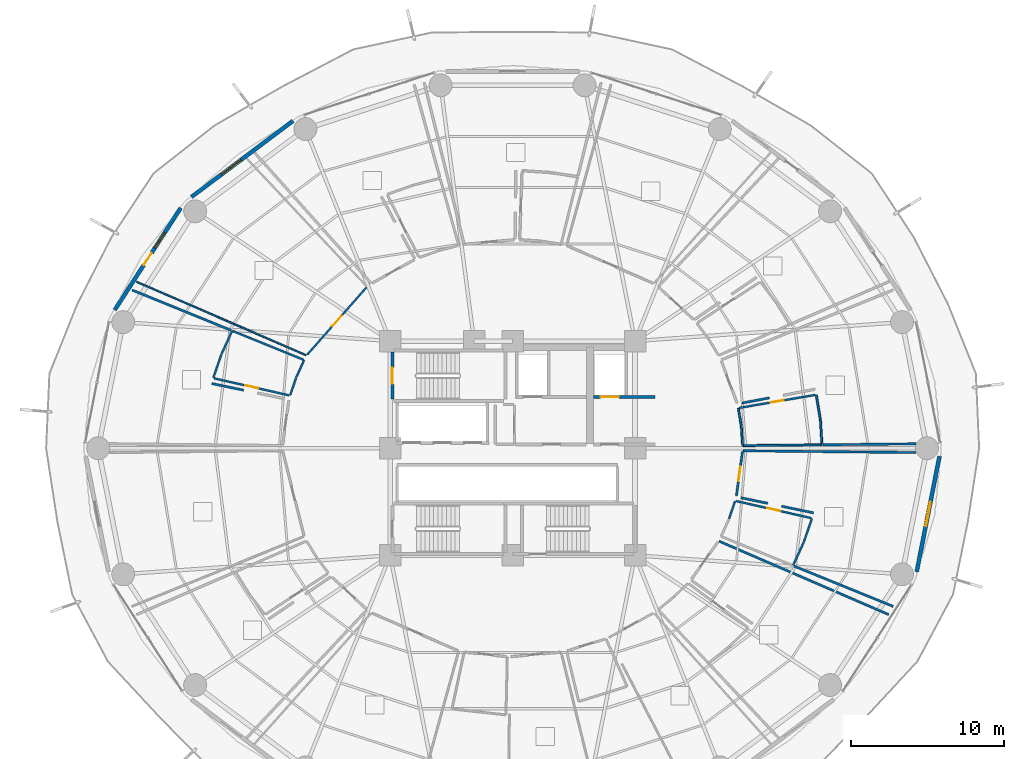
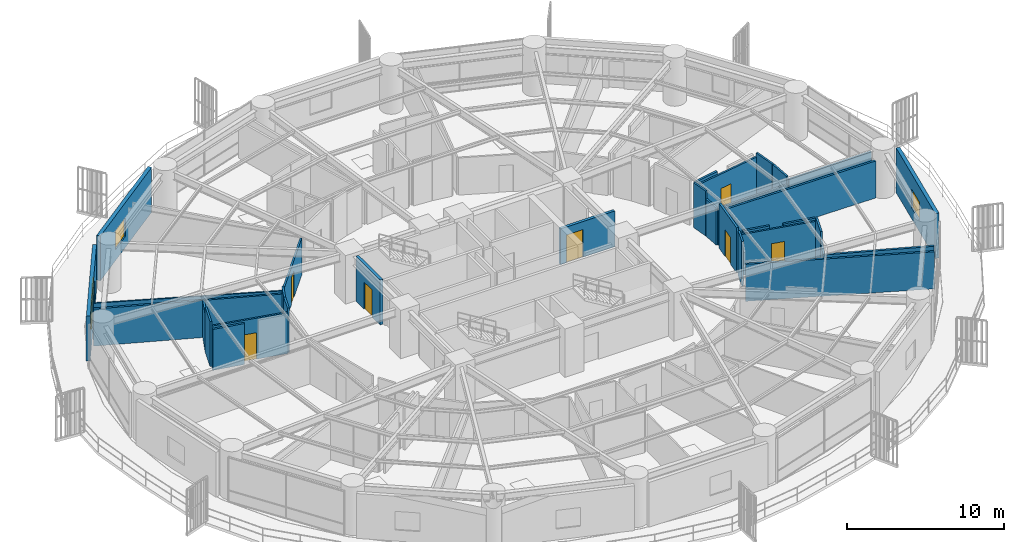
# One storey, part 26 of 34: 33 walls, 8 doors, 3 windows, 11 openings.
"""IFC4 building model written with IfcOpenShell, lengths in metres."""

from ifc_helpers import new_model, si_unit, direction, frame, frame_2d, origin, place, context, subcontext, project, spatial, rectangle, extrude, material, layer, layer_set, type_object, element, fill, save


model = new_model("IFC4")

# Units and contexts
model_context = context("Model", 3, precision=1e-05, world=origin(), true_north=direction((0.0, 1.0)))
body_context = subcontext(model_context, "Body", "Model", "MODEL_VIEW")
ifc_project = project(units=[si_unit("LENGTHUNIT", "METRE"), si_unit("AREAUNIT", "SQUARE_METRE"), si_unit("VOLUMEUNIT", "CUBIC_METRE"), si_unit("PLANEANGLEUNIT", "RADIAN"), si_unit("MASSUNIT", "GRAM", prefix="KILO")], contexts=[model_context])

# Site, building, storey
site_placement = place(None, origin())
site = spatial("IfcSite", under=ifc_project, at=site_placement, CompositionType="ELEMENT")
building_placement = place(site_placement, origin())
building = spatial("IfcBuilding", under=site, at=building_placement, Name="Kelanora Arch Commons", CompositionType="ELEMENT")
storey_placement = place(building_placement, frame((0.0, 0.0, 30.0)))
storey = spatial("IfcBuildingStorey", under=building, at=storey_placement, Name="L07", CompositionType="ELEMENT", Elevation=30.0)

# Wall, opening, door
ifc_material_1 = material(Name="Autoclaved aerated concrete blockwork with fire plaster", Category="masonry")
ifc_layer_1 = layer(ifc_material_1, 0.14990234375)
ifc_layer_set_1 = layer_set([ifc_layer_1], Name="Autoclaved aerated concrete blockwork with fire plaster")
wall_type_1 = type_object("IfcWallType", Name="W-COMP-150", PredefinedType="PARTITIONING", material=ifc_layer_set_1)
wall_1_placement = place(storey_placement, frame((88.625, 54.885498046875, 0.0), z_axis=(0.0, 0.0, 1.0), x_axis=(0.135838186105, 0.990731036758, 0.0)))
wall_1 = element("IfcWall", 1, at=wall_1_placement, inside=storey, type_object=wall_type_1, Name="Co-Living Studio L07-14 Entry Partition", PredefinedType="PARTITIONING", context=body_context, shape_type="SweptSolid", body=[
    extrude(rectangle(XDim=2.915283203125, YDim=0.14990234375, at=frame_2d((1.45751953125, 0.0))), origin(), (0.0, 0.0, 1.0), 3.47998046875),
])
opening_1_placement = place(wall_1_placement, frame((0.98291015625, 0.0, 0.0)))
opening_1 = element("IfcOpeningElement", 2, at=opening_1_placement, cuts=wall_1, Name="Opening D-CLU1", PredefinedType="OPENING", context=body_context, shape_type="SweptSolid", body=[
    extrude(rectangle(XDim=0.949951171875, YDim=2.080078125, at=frame_2d((0.47509765625, 1.0400390625))), frame((0.0, 0.0849609375, 0.0), z_axis=(0.0, -1.0, 0.0), x_axis=(1.0, 0.0, 0.0)), (0.0, 0.0, 1.0), 0.169921875),
])
ifc_material_2 = material(Name="Solid-core acoustic timber cluster entry fire door", Category="wood")
door_type_1 = type_object("IfcDoorType", Name="D-CLU-95", OperationType="NOTDEFINED", PredefinedType="DOOR", material=ifc_material_2)
door_1_placement = place(opening_1_placement, origin())
door_1 = element("IfcDoor", 3, at=door_1_placement, inside=storey, type_object=door_type_1, Name="Co-Living Studio L07-14 Door", OperationType="SINGLE_SWING_LEFT", OverallHeight=2.080078125, OverallWidth=0.949951171875, PredefinedType="DOOR", context=body_context, shape_type="SweptSolid", body=[
    extrude(rectangle(XDim=0.949951171875, YDim=2.080078125, at=frame_2d((0.47509765625, 1.0400390625))), frame((0.0, 0.02490234375, 0.0), z_axis=(0.0, -1.0, 0.0), x_axis=(1.0, 0.0, 0.0)), (0.0, 0.0, 1.0), 0.050048828125),
])
fill(opening_1, door_1)

# Walls
wall_2_placement = place(storey_placement, frame((100.360107421875, 58.287109375, 0.0), z_axis=(0.0, 0.0, 1.0), x_axis=(-0.999943071294, -0.010670246996, 0.0)))
element("IfcWall", 4, at=wall_2_placement, inside=storey, type_object=wall_type_1, Name="Co-Living Studio L07-01 Enclosure Partition 5", PredefinedType="PARTITIONING", context=body_context, shape_type="SweptSolid", body=[
    extrude(rectangle(XDim=6.063232421875, YDim=0.14990234375, at=frame_2d((3.03173828125, 0.0))), origin(), (0.0, 0.0, 1.0), 3.235107421875),
])
wall_3_placement = place(storey_placement, frame((90.7890625, 61.289306640625, 0.0), z_axis=(0.0, 0.0, 1.0), x_axis=(-0.98259072308, -0.185783397852, 0.0)))
element("IfcWall", 5, at=wall_3_placement, inside=storey, type_object=wall_type_1, Name="Co-Living Studio L07-01 Enclosure Partition 7", PredefinedType="PARTITIONING", context=body_context, shape_type="SweptSolid", body=[
    extrude(rectangle(XDim=1.823974609375, YDim=0.14990234375, at=frame_2d((0.912109375, 0.0))), origin(), (0.0, 0.0, 1.0), 3.235107421875),
])
wall_4_placement = place(storey_placement, frame((49.135009765625, 68.3359375, 0.0), z_axis=(0.0, 0.0, 1.0), x_axis=(0.926325178802, -0.376724917038, 0.0)))
element("IfcWall", 6, at=wall_4_placement, inside=storey, type_object=wall_type_1, Name="Co-Living Studio L07-07 Enclosure Partition 5", PredefinedType="PARTITIONING", context=body_context, shape_type="SweptSolid", body=[
    extrude(rectangle(XDim=6.9833984375, YDim=0.14990234375, at=frame_2d((3.49169921875, 0.0))), origin(), (0.0, 0.0, 1.0), 2.875),
])
wall_5_placement = place(storey_placement, frame((54.337158203125, 62.226806640625, 0.0), z_axis=(0.0, 0.0, 1.0), x_axis=(0.978922282622, -0.204233113343, 0.0)))
element("IfcWall", 7, at=wall_5_placement, inside=storey, type_object=wall_type_1, Name="Co-Living Studio L07-07 Enclosure Partition 7", PredefinedType="PARTITIONING", context=body_context, shape_type="SweptSolid", body=[
    extrude(rectangle(XDim=2.132568359375, YDim=0.14990234375, at=frame_2d((1.06640625, 0.0))), origin(), (0.0, 0.0, 1.0), 3.175048828125),
])
wall_6_placement = place(storey_placement, frame((87.497802734375, 51.921142578125, 0.0), z_axis=(0.0, 0.0, 1.0), x_axis=(0.917695041134, -0.397285554077, 0.0)))
element("IfcWall", 8, at=wall_6_placement, inside=storey, type_object=wall_type_1, Name="Co-Living Studio L07-13 Enclosure Partition 2", PredefinedType="PARTITIONING", context=body_context, shape_type="SweptSolid", body=[
    extrude(rectangle(XDim=12.06982421875, YDim=0.14990234375, at=frame_2d((6.034912109375, 0.0))), origin(), (0.0, 0.0, 1.0), 2.875),
])
wall_7_placement = place(storey_placement, frame((89.069091796875, 57.83251953125, 0.0), z_axis=(0.0, 0.0, 1.0), x_axis=(0.999943877154, -0.010594458135, 0.0)))
element("IfcWall", 9, at=wall_7_placement, inside=storey, type_object=wall_type_1, Name="Co-Living Studio L07-14 Enclosure Partition 2", PredefinedType="PARTITIONING", context=body_context, shape_type="SweptSolid", body=[
    extrude(rectangle(XDim=11.291748046875, YDim=0.14990234375, at=frame_2d((5.64599609375, 0.0))), origin(), (0.0, 0.0, 1.0), 2.875),
])
wall_8_placement = place(storey_placement, frame((98.864990234375, 47.6640625, 0.0), z_axis=(0.0, 0.0, 1.0), x_axis=(-0.926325178802, 0.376724917038, 0.0)))
element("IfcWall", 10, at=wall_8_placement, inside=storey, type_object=wall_type_1, Name="Co-Living Studio L07-14 Enclosure Partition 5", PredefinedType="PARTITIONING", context=body_context, shape_type="SweptSolid", body=[
    extrude(rectangle(XDim=6.9833984375, YDim=0.14990234375, at=frame_2d((3.49169921875, 0.0))), origin(), (0.0, 0.0, 1.0), 2.875),
])
wall_9_placement = place(storey_placement, frame((93.662841796875, 53.773193359375, 0.0), z_axis=(0.0, 0.0, 1.0), x_axis=(-0.978922282622, 0.204233113343, 0.0)))
element("IfcWall", 11, at=wall_9_placement, inside=storey, type_object=wall_type_1, Name="Co-Living Studio L07-14 Enclosure Partition 7", PredefinedType="PARTITIONING", context=body_context, shape_type="SweptSolid", body=[
    extrude(rectangle(XDim=2.132568359375, YDim=0.14990234375, at=frame_2d((1.06640625, 0.0))), origin(), (0.0, 0.0, 1.0), 3.175048828125),
])
wall_10_placement = place(storey_placement, frame((90.674560546875, 54.396728515625, 0.0), z_axis=(0.0, 0.0, 1.0), x_axis=(-0.978929424395, 0.204198878681, 0.0)))
element("IfcWall", 12, at=wall_10_placement, inside=storey, type_object=wall_type_1, Name="Co-Living Studio L07-14 Enclosure Partition 7", PredefinedType="PARTITIONING", context=body_context, shape_type="SweptSolid", body=[
    extrude(rectangle(XDim=1.79345703125, YDim=0.14990234375, at=frame_2d((0.896728515625, 0.0))), origin(), (0.0, 0.0, 1.0), 3.235107421875),
])

# Wall, opening, window
ifc_material_3 = material(Name="Precast concrete C40/50 with terracotta rainscreen", Category="masonry")
ifc_layer_2 = layer(ifc_material_3, 0.260009765625)
ifc_layer_set_2 = layer_set([ifc_layer_2], Name="Precast concrete C40/50 with terracotta rainscreen")
wall_type_2 = type_object("IfcWallType", Name="W-EXT-TC", PredefinedType="SOLIDWALL", material=ifc_layer_set_2)
wall_11_placement = place(storey_placement, frame((59.651123046875, 79.38916015625, 0.0), z_axis=(0.0, 0.0, 1.0), x_axis=(-0.80030733173, -0.599590005569, 0.0)))
wall_11 = element("IfcWall", 13, at=wall_11_placement, inside=storey, type_object=wall_type_2, Name="Terracotta Exterior Wall L07-B06", PredefinedType="SOLIDWALL", context=body_context, shape_type="SweptSolid", body=[
    extrude(rectangle(XDim=8.29052734375, YDim=0.260009765625, at=frame_2d((4.145263671875, 0.0))), origin(), (0.0, 0.0, 1.0), 3.47509765625),
])
opening_2_placement = place(wall_11_placement, frame((4.2451171875, 0.0, 0.85009765625)))
opening_2 = element("IfcOpeningElement", 14, at=opening_2_placement, cuts=wall_11, Name="Opening WN-01", PredefinedType="OPENING", context=body_context, shape_type="SweptSolid", body=[
    extrude(rectangle(XDim=1.60009765625, YDim=1.449951171875, at=frame_2d((0.800048828125, 0.72509765625))), frame((0.0, 0.14013671875, 0.0), z_axis=(0.0, -1.0, 0.0), x_axis=(1.0, 0.0, 0.0)), (0.0, 0.0, 1.0), 0.280029296875),
])
ifc_material_4 = material(Name="Terracotta-anodised aluminium frame with operable low-E glazing", Category="masonry")
window_type_1 = type_object("IfcWindowType", Name="WIN-CL-18", PartitioningType="DOUBLE_PANEL_VERTICAL", PredefinedType="WINDOW", material=ifc_material_4)
window_1_placement = place(opening_2_placement, origin())
window_1 = element("IfcWindow", 15, at=window_1_placement, inside=storey, type_object=window_type_1, Name="Co-Living Operable Window L07-B06", OverallHeight=1.449951171875, OverallWidth=1.60009765625, PartitioningType="SINGLE_PANEL", PredefinedType="WINDOW", context=body_context, shape_type="SweptSolid", body=[
    extrude(rectangle(XDim=1.60009765625, YDim=1.449951171875, at=frame_2d((0.800048828125, 0.72509765625))), frame((0.0, 0.030029296875, 0.0), z_axis=(0.0, -1.0, 0.0), x_axis=(1.0, 0.0, 0.0)), (0.0, 0.0, 1.0), 0.06005859375),
])
fill(opening_2, window_1)

# Wall, openings, door, window
wall_12_placement = place(storey_placement, frame((52.310791015625, 73.698486328125, 0.0), z_axis=(0.0, 0.0, 1.0), x_axis=(-0.543005114258, -0.839729388488, 0.0)))
wall_12 = element("IfcWall", 16, at=wall_12_placement, inside=storey, type_object=wall_type_2, Name="Terracotta Exterior Wall L07-B07", PredefinedType="SOLIDWALL", context=body_context, shape_type="SweptSolid", body=[
    extrude(rectangle(XDim=7.9375, YDim=0.260009765625, at=frame_2d((3.96875, 0.0))), origin(), (0.0, 0.0, 1.0), 3.47509765625),
])
opening_3_placement = place(wall_12_placement, frame((3.493896484375, 0.0, 0.0)))
opening_3 = element("IfcOpeningElement", 17, at=opening_3_placement, cuts=wall_12, Name="Opening DB-01", PredefinedType="OPENING", context=body_context, shape_type="SweptSolid", body=[
    extrude(rectangle(XDim=0.949951171875, YDim=2.10009765625, at=frame_2d((0.47509765625, 1.050048828125))), frame((0.0, 0.14013671875, 0.0), z_axis=(0.0, -1.0, 0.0), x_axis=(1.0, 0.0, 0.0)), (0.0, 0.0, 1.0), 0.280029296875),
])
opening_4_placement = place(wall_12_placement, frame((1.9140625, 0.0, 0.85009765625)))
opening_4 = element("IfcOpeningElement", 18, at=opening_4_placement, cuts=wall_12, Name="Opening WN-02", PredefinedType="OPENING", context=body_context, shape_type="SweptSolid", body=[
    extrude(rectangle(XDim=1.199951171875, YDim=1.449951171875, at=frame_2d((0.60009765625, 0.72509765625))), frame((0.0, 0.14013671875, 0.0), z_axis=(0.0, -1.0, 0.0), x_axis=(1.0, 0.0, 0.0)), (0.0, 0.0, 1.0), 0.280029296875),
])
ifc_material_5 = material(Name="Terracotta-aluminium thermally broken glazed balcony door", Category="masonry")
door_type_2 = type_object("IfcDoorType", Name="D-BAL-10", OperationType="NOTDEFINED", PredefinedType="DOOR", material=ifc_material_5)
door_2_placement = place(opening_3_placement, frame((0.949951171875, 0.0, 0.0), z_axis=(0.0, 0.0, 1.0), x_axis=(-1.0, 0.0, 0.0)))
door_2 = element("IfcDoor", 19, at=door_2_placement, inside=storey, type_object=door_type_2, Name="Wave Balcony Door L07-B07", OperationType="SINGLE_SWING_LEFT", OverallHeight=2.10009765625, OverallWidth=0.949951171875, PredefinedType="DOOR", context=body_context, shape_type="SweptSolid", body=[
    extrude(rectangle(XDim=0.949951171875, YDim=2.10009765625, at=frame_2d((0.47509765625, 1.050048828125))), frame((0.0, 0.02490234375, 0.0), z_axis=(0.0, -1.0, 0.0), x_axis=(1.0, 0.0, 0.0)), (0.0, 0.0, 1.0), 0.050048828125),
])
fill(opening_3, door_2)
ifc_material_6 = material(Name="Terracotta-anodised aluminium frame with operable awning sash", Category="masonry")
window_type_2 = type_object("IfcWindowType", Name="WIN-CL-12", PartitioningType="SINGLE_PANEL", PredefinedType="WINDOW", material=ifc_material_6)
window_2_placement = place(opening_4_placement, origin())
window_2 = element("IfcWindow", 20, at=window_2_placement, inside=storey, type_object=window_type_2, Name="Co-Living Operable Window L07-B07", OverallHeight=1.449951171875, OverallWidth=1.199951171875, PartitioningType="SINGLE_PANEL", PredefinedType="WINDOW", context=body_context, shape_type="SweptSolid", body=[
    extrude(rectangle(XDim=1.199951171875, YDim=1.449951171875, at=frame_2d((0.60009765625, 0.72509765625))), frame((0.0, 0.030029296875, 0.0), z_axis=(0.0, -1.0, 0.0), x_axis=(1.0, 0.0, 0.0)), (0.0, 0.0, 1.0), 0.06005859375),
])
fill(opening_4, window_2)

# Wall, opening, window
wall_13_placement = place(storey_placement, frame((100.404296875, 49.919921875, 0.0), z_axis=(0.0, 0.0, 1.0), x_axis=(0.193726159581, 0.98105564322, 0.0)))
wall_13 = element("IfcWall", 21, at=wall_13_placement, inside=storey, type_object=wall_type_2, Name="Terracotta Exterior Wall L07-B17", PredefinedType="SOLIDWALL", context=body_context, shape_type="SweptSolid", body=[
    extrude(rectangle(XDim=7.70263671875, YDim=0.260009765625, at=frame_2d((3.851318359375, 0.0))), origin(), (0.0, 0.0, 1.0), 3.47509765625),
])
opening_5_placement = place(wall_13_placement, frame((3.051025390625, 0.0, 0.85009765625)))
opening_5 = element("IfcOpeningElement", 22, at=opening_5_placement, cuts=wall_13, Name="Opening WN-01", PredefinedType="OPENING", context=body_context, shape_type="SweptSolid", body=[
    extrude(rectangle(XDim=1.60009765625, YDim=1.449951171875, at=frame_2d((0.800048828125, 0.72509765625))), frame((0.0, 0.14013671875, 0.0), z_axis=(0.0, -1.0, 0.0), x_axis=(1.0, 0.0, 0.0)), (0.0, 0.0, 1.0), 0.280029296875),
])
window_3_placement = place(opening_5_placement, origin())
window_3 = element("IfcWindow", 23, at=window_3_placement, inside=storey, type_object=window_type_1, Name="Co-Living Operable Window L07-B17", OverallHeight=1.449951171875, OverallWidth=1.60009765625, PartitioningType="SINGLE_PANEL", PredefinedType="WINDOW", context=body_context, shape_type="SweptSolid", body=[
    extrude(rectangle(XDim=1.60009765625, YDim=1.449951171875, at=frame_2d((0.800048828125, 0.72509765625))), frame((0.0, 0.030029296875, 0.0), z_axis=(0.0, -1.0, 0.0), x_axis=(1.0, 0.0, 0.0)), (0.0, 0.0, 1.0), 0.06005859375),
])
fill(opening_5, window_3)

# Wall, opening, door
ifc_material_7 = material(Name="Concrete C40/50", Category="concrete")
ifc_layer_3 = layer(ifc_material_7, 0.199951171875)
ifc_layer_set_3 = layer_set([ifc_layer_3], Name="Concrete C40/50")
wall_type_3 = type_object("IfcWallType", Name="W-FFL-200", PredefinedType="SOLIDWALL", material=ifc_layer_set_3)
wall_14_placement = place(storey_placement, frame((79.300048828125, 61.35009765625, 0.0), z_axis=(0.0, 0.0, 1.0), x_axis=(1.0, 0.0, 0.0)))
wall_14 = element("IfcWall", 24, at=wall_14_placement, inside=storey, type_object=wall_type_3, Name="Firefighting Lift 2 Shaft Front L07", PredefinedType="SOLIDWALL", context=body_context, shape_type="SweptSolid", body=[
    extrude(rectangle(XDim=4.0, YDim=0.199951171875, at=frame_2d((2.0, 0.0))), origin(), (0.0, 0.0, 1.0), 2.77490234375),
])
opening_6_placement = place(wall_14_placement, frame((0.449951171875, 0.0, 0.0)))
opening_6 = element("IfcOpeningElement", 25, at=opening_6_placement, cuts=wall_14, Name="Opening LD-FF", PredefinedType="OPENING", context=body_context, shape_type="SweptSolid", body=[
    extrude(rectangle(XDim=1.199951171875, YDim=2.14990234375, at=frame_2d((0.60009765625, 1.074951171875))), frame((0.0, 0.10986328125, 0.0), z_axis=(0.0, -1.0, 0.0), x_axis=(1.0, 0.0, 0.0)), (0.0, 0.0, 1.0), 0.219970703125),
])
ifc_material_8 = material(Name="Fire-rated firefighters lift sliding landing door")
door_type_3 = type_object("IfcDoorType", Name="D-LIFT-FF", OperationType="NOTDEFINED", PredefinedType="DOOR", material=ifc_material_8)
door_3_placement = place(opening_6_placement, origin())
door_3 = element("IfcDoor", 26, at=door_3_placement, inside=storey, type_object=door_type_3, Name="Firefighting Lift LF-FF2 Landing Door L07", OperationType="DOUBLE_DOOR_SLIDING", OverallHeight=2.14990234375, OverallWidth=1.199951171875, PredefinedType="DOOR", context=body_context, shape_type="SweptSolid", body=[
    extrude(rectangle(XDim=1.199951171875, YDim=2.14990234375, at=frame_2d((0.60009765625, 1.074951171875))), frame((0.0, 0.02490234375, 0.0), z_axis=(0.0, -1.0, 0.0), x_axis=(1.0, 0.0, 0.0)), (0.0, 0.0, 1.0), 0.050048828125),
])
fill(opening_6, door_3)

# Wall
ifc_material_9 = material(Name="Lightweight fire-rated acoustic stud partition")
ifc_layer_4 = layer(ifc_material_9, 0.10009765625)
ifc_layer_set_4 = layer_set([ifc_layer_4], Name="Lightweight fire-rated acoustic stud partition")
wall_type_4 = type_object("IfcWallType", Name="W-PART-100", PredefinedType="PARTITIONING", material=ifc_layer_set_4)
wall_15_placement = place(storey_placement, frame((60.502197265625, 64.078857421875, 0.0), z_axis=(0.0, 0.0, 1.0), x_axis=(-0.917695041134, 0.397285554077, 0.0)))
element("IfcWall", 27, at=wall_15_placement, inside=storey, type_object=wall_type_4, Name="Quiet Seminar Study Room L07-06 Enclosure Partition 2", PredefinedType="PARTITIONING", context=body_context, shape_type="SweptSolid", body=[
    extrude(rectangle(XDim=12.06982421875, YDim=0.10009765625, at=frame_2d((6.034912109375, 0.0))), origin(), (0.0, 0.0, 1.0), 2.875),
])

# Wall, opening, door
ifc_material_10 = material(Name="Acoustic twin-stud fire-rated gypsum partition")
ifc_layer_5 = layer(ifc_material_10, 0.1201171875)
ifc_layer_set_5 = layer_set([ifc_layer_5], Name="Acoustic twin-stud fire-rated gypsum partition")
wall_type_5 = type_object("IfcWallType", Name="W-PART-120", PredefinedType="PARTITIONING", material=ifc_layer_set_5)
wall_16_placement = place(storey_placement, frame((64.4462890625, 68.5068359375, 0.0), z_axis=(0.0, 0.0, 1.0), x_axis=(-0.660323401664, -0.75098136143, 0.0)))
wall_16 = element("IfcWall", 28, at=wall_16_placement, inside=storey, type_object=wall_type_5, Name="Quiet Seminar Study Room L07-06 Entry Partition", PredefinedType="PARTITIONING", context=body_context, shape_type="SweptSolid", body=[
    extrude(rectangle(XDim=5.857177734375, YDim=0.1201171875, at=frame_2d((2.9287109375, 0.0))), origin(), (0.0, 0.0, 1.0), 2.875),
])
opening_7_placement = place(wall_16_placement, frame((2.47900390625, 0.0, 0.0)))
opening_7 = element("IfcOpeningElement", 29, at=opening_7_placement, cuts=wall_16, Name="Opening D-RM1", PredefinedType="OPENING", context=body_context, shape_type="SweptSolid", body=[
    extrude(rectangle(XDim=0.89990234375, YDim=2.080078125, at=frame_2d((0.449951171875, 1.0400390625))), frame((0.0, 0.070068359375, 0.0), z_axis=(0.0, -1.0, 0.0), x_axis=(1.0, 0.0, 0.0)), (0.0, 0.0, 1.0), 0.14013671875),
])
ifc_material_11 = material(Name="Acoustic fire-rated timber study and lounge door", Category="wood")
door_type_4 = type_object("IfcDoorType", Name="D-ROOM-90", OperationType="NOTDEFINED", PredefinedType="DOOR", material=ifc_material_11)
door_4_placement = place(opening_7_placement, origin())
door_4 = element("IfcDoor", 30, at=door_4_placement, inside=storey, type_object=door_type_4, Name="Quiet Seminar Study Room L07-06 Door", OperationType="SINGLE_SWING_LEFT", OverallHeight=2.080078125, OverallWidth=0.89990234375, PredefinedType="DOOR", context=body_context, shape_type="SweptSolid", body=[
    extrude(rectangle(XDim=0.89990234375, YDim=2.080078125, at=frame_2d((0.449951171875, 1.0400390625))), frame((0.0, 0.02490234375, 0.0), z_axis=(0.0, -1.0, 0.0), x_axis=(1.0, 0.0, 0.0)), (0.0, 0.0, 1.0), 0.050048828125),
])
fill(opening_7, door_4)

ifc_layer_6 = layer(ifc_material_7, 0.199951171875)
ifc_layer_set_6 = layer_set([ifc_layer_6], Name="Concrete C40/50")
wall_type_6 = type_object("IfcWallType", Name="W-STAIR-200", PredefinedType="SHEAR", material=ifc_layer_set_6)
wall_17_placement = place(storey_placement, frame((66.139892578125, 64.27001953125, 0.0), z_axis=(0.0, 0.0, 1.0), x_axis=(0.0, -1.0, 0.0)))
wall_17 = element("IfcWall", 31, at=wall_17_placement, inside=storey, type_object=wall_type_6, Name="Stair ST-T1 Shaft Wall W L07", PredefinedType="SHEAR", context=body_context, shape_type="SweptSolid", body=[
    extrude(rectangle(XDim=3.070068359375, YDim=0.199951171875, at=frame_2d((1.53515625, 0.0))), origin(), (0.0, 0.0, 1.0), 3.489990234375),
])
opening_8_placement = place(wall_17_placement, frame((1.010009765625, 0.0, 0.0)))
opening_8 = element("IfcOpeningElement", 32, at=opening_8_placement, cuts=wall_17, Name="Opening D-ST1", PredefinedType="OPENING", context=body_context, shape_type="SweptSolid", body=[
    extrude(rectangle(XDim=1.050048828125, YDim=2.10009765625, at=frame_2d((0.52490234375, 1.050048828125))), frame((0.0, 0.10986328125, 0.0), z_axis=(0.0, -1.0, 0.0), x_axis=(1.0, 0.0, 0.0)), (0.0, 0.0, 1.0), 0.219970703125),
])
ifc_material_12 = material(Name="Steel fire-rated stairwell escape door", Category="steel")
door_type_5 = type_object("IfcDoorType", Name="D-STAIR-110", OperationType="NOTDEFINED", PredefinedType="DOOR", material=ifc_material_12)
door_5_placement = place(opening_8_placement, origin())
door_5 = element("IfcDoor", 33, at=door_5_placement, inside=storey, type_object=door_type_5, Name="Stair ST-T1 Escape Door L07", OperationType="SINGLE_SWING_LEFT", OverallHeight=2.10009765625, OverallWidth=1.050048828125, PredefinedType="DOOR", context=body_context, shape_type="SweptSolid", body=[
    extrude(rectangle(XDim=1.050048828125, YDim=2.10009765625, at=frame_2d((0.52490234375, 1.050048828125))), frame((0.0, 0.02490234375, 0.0), z_axis=(0.0, -1.0, 0.0), x_axis=(1.0, 0.0, 0.0)), (0.0, 0.0, 1.0), 0.050048828125),
])
fill(opening_8, door_5)

ifc_material_13 = material(Name="Moisture-resistant fire-rated cement-board plumbing wall")
ifc_layer_7 = layer(ifc_material_13, 0.1298828125)
ifc_layer_set_7 = layer_set([ifc_layer_7], Name="Moisture-resistant fire-rated cement-board plumbing wall")
wall_type_7 = type_object("IfcWallType", Name="W-WET-120", PredefinedType="PLUMBINGWALL", material=ifc_layer_set_7)
wall_18_placement = place(storey_placement, frame((88.80810546875, 60.634033203125, 0.0), z_axis=(0.0, 0.0, 1.0), x_axis=(0.985746995542, 0.168234540986, 0.0)))
wall_18 = element("IfcWall", 34, at=wall_18_placement, inside=storey, type_object=wall_type_7, Name="En-Suite Shower WC L07-01 Entry Partition", PredefinedType="PLUMBINGWALL", context=body_context, shape_type="SweptSolid", body=[
    extrude(rectangle(XDim=5.0458984375, YDim=0.1298828125, at=frame_2d((2.52294921875, 0.0))), origin(), (0.0, 0.0, 1.0), 3.175048828125),
])
opening_9_placement = place(wall_18_placement, frame((2.093017578125, 0.0, 0.0)))
opening_9 = element("IfcOpeningElement", 35, at=opening_9_placement, cuts=wall_18, Name="Opening D-BT1", PredefinedType="OPENING", context=body_context, shape_type="SweptSolid", body=[
    extrude(rectangle(XDim=0.860107421875, YDim=2.050048828125, at=frame_2d((0.43017578125, 1.02490234375))), frame((0.0, 0.074951171875, 0.0), z_axis=(0.0, -1.0, 0.0), x_axis=(1.0, 0.0, 0.0)), (0.0, 0.0, 1.0), 0.14990234375),
])
ifc_material_14 = material(Name="Moisture-sealed fire-rated accessible bathroom door")
door_type_6 = type_object("IfcDoorType", Name="D-BATH-85", OperationType="NOTDEFINED", PredefinedType="DOOR", material=ifc_material_14)
door_6_placement = place(opening_9_placement, origin())
door_6 = element("IfcDoor", 36, at=door_6_placement, inside=storey, type_object=door_type_6, Name="En-Suite Shower WC L07-01 Door", OperationType="SINGLE_SWING_RIGHT", OverallHeight=2.050048828125, OverallWidth=0.860107421875, PredefinedType="DOOR", context=body_context, shape_type="SweptSolid", body=[
    extrude(rectangle(XDim=0.860107421875, YDim=2.050048828125, at=frame_2d((0.43017578125, 1.02490234375))), frame((0.0, 0.02490234375, 0.0), z_axis=(0.0, -1.0, 0.0), x_axis=(1.0, 0.0, 0.0)), (0.0, 0.0, 1.0), 0.050048828125),
])
fill(opening_9, door_6)

wall_19_placement = place(storey_placement, frame((59.3974609375, 61.452392578125, 0.0), z_axis=(0.0, 0.0, 1.0), x_axis=(-0.975187669184, 0.221379786503, 0.0)))
wall_19 = element("IfcWall", 37, at=wall_19_placement, inside=storey, type_object=wall_type_7, Name="En-Suite Shower WC L07-07 Entry Partition", PredefinedType="PLUMBINGWALL", context=body_context, shape_type="SweptSolid", body=[
    extrude(rectangle(XDim=5.02880859375, YDim=0.1298828125, at=frame_2d((2.514404296875, 0.0))), origin(), (0.0, 0.0, 1.0), 3.175048828125),
])
opening_10_placement = place(wall_19_placement, frame((2.083984375, 0.0, 0.0)))
opening_10 = element("IfcOpeningElement", 38, at=opening_10_placement, cuts=wall_19, Name="Opening D-BT1", PredefinedType="OPENING", context=body_context, shape_type="SweptSolid", body=[
    extrude(rectangle(XDim=0.860107421875, YDim=2.050048828125, at=frame_2d((0.43017578125, 1.02490234375))), frame((0.0, 0.074951171875, 0.0), z_axis=(0.0, -1.0, 0.0), x_axis=(1.0, 0.0, 0.0)), (0.0, 0.0, 1.0), 0.14990234375),
])
door_7_placement = place(opening_10_placement, origin())
door_7 = element("IfcDoor", 39, at=door_7_placement, inside=storey, type_object=door_type_6, Name="En-Suite Shower WC L07-07 Door", OperationType="SINGLE_SWING_RIGHT", OverallHeight=2.050048828125, OverallWidth=0.860107421875, PredefinedType="DOOR", context=body_context, shape_type="SweptSolid", body=[
    extrude(rectangle(XDim=0.860107421875, YDim=2.050048828125, at=frame_2d((0.43017578125, 1.02490234375))), frame((0.0, 0.02490234375, 0.0), z_axis=(0.0, -1.0, 0.0), x_axis=(1.0, 0.0, 0.0)), (0.0, 0.0, 1.0), 0.050048828125),
])
fill(opening_10, door_7)

wall_20_placement = place(storey_placement, frame((88.6025390625, 54.547607421875, 0.0), z_axis=(0.0, 0.0, 1.0), x_axis=(0.975187669184, -0.221379786503, 0.0)))
wall_20 = element("IfcWall", 40, at=wall_20_placement, inside=storey, type_object=wall_type_7, Name="En-Suite Shower WC L07-14 Entry Partition", PredefinedType="PLUMBINGWALL", context=body_context, shape_type="SweptSolid", body=[
    extrude(rectangle(XDim=5.02880859375, YDim=0.1298828125, at=frame_2d((2.514404296875, 0.0))), origin(), (0.0, 0.0, 1.0), 3.175048828125),
])
opening_11_placement = place(wall_20_placement, frame((2.083984375, 0.0, 0.0)))
opening_11 = element("IfcOpeningElement", 41, at=opening_11_placement, cuts=wall_20, Name="Opening D-BT1", PredefinedType="OPENING", context=body_context, shape_type="SweptSolid", body=[
    extrude(rectangle(XDim=0.860107421875, YDim=2.050048828125, at=frame_2d((0.43017578125, 1.02490234375))), frame((0.0, 0.074951171875, 0.0), z_axis=(0.0, -1.0, 0.0), x_axis=(1.0, 0.0, 0.0)), (0.0, 0.0, 1.0), 0.14990234375),
])
door_8_placement = place(opening_11_placement, origin())
door_8 = element("IfcDoor", 42, at=door_8_placement, inside=storey, type_object=door_type_6, Name="En-Suite Shower WC L07-14 Door", OperationType="SINGLE_SWING_RIGHT", OverallHeight=2.050048828125, OverallWidth=0.860107421875, PredefinedType="DOOR", context=body_context, shape_type="SweptSolid", body=[
    extrude(rectangle(XDim=0.860107421875, YDim=2.050048828125, at=frame_2d((0.43017578125, 1.02490234375))), frame((0.0, 0.02490234375, 0.0), z_axis=(0.0, -1.0, 0.0), x_axis=(1.0, 0.0, 0.0)), (0.0, 0.0, 1.0), 0.050048828125),
])
fill(opening_11, door_8)

# Walls
wall_21_placement = place(storey_placement, frame((89.027587890625, 58.18701171875, 0.0), z_axis=(0.0, 0.0, 1.0), x_axis=(-0.063661240763, 0.99797156594, 0.0)))
element("IfcWall", 43, at=wall_21_placement, inside=storey, type_object=wall_type_7, Name="En-Suite Shower WC L07-01 Enclosure Partition 1", PredefinedType="PLUMBINGWALL", context=body_context, shape_type="SweptSolid", body=[
    extrude(rectangle(XDim=1.196533203125, YDim=0.1298828125, at=frame_2d((0.59814453125, 0.0))), origin(), (0.0, 0.0, 1.0), 2.875),
])
wall_22_placement = place(storey_placement, frame((88.94677734375, 59.420654296875, 0.0), z_axis=(0.0, 0.0, 1.0), x_axis=(-0.162220174474, 0.986754587014, 0.0)))
element("IfcWall", 44, at=wall_22_placement, inside=storey, type_object=wall_type_7, Name="En-Suite Shower WC L07-01 Enclosure Partition 2", PredefinedType="PLUMBINGWALL", context=body_context, shape_type="SweptSolid", body=[
    extrude(rectangle(XDim=1.199462890625, YDim=0.1298828125, at=frame_2d((0.599609375, 0.0))), origin(), (0.0, 0.0, 1.0), 3.47998046875),
])
wall_23_placement = place(storey_placement, frame((93.84423828125, 61.473388671875, 0.0), z_axis=(0.0, 0.0, 1.0), x_axis=(0.16417773594, -0.986430773558, 0.0)))
element("IfcWall", 45, at=wall_23_placement, inside=storey, type_object=wall_type_7, Name="En-Suite Shower WC L07-01 Enclosure Partition 4", PredefinedType="PLUMBINGWALL", context=body_context, shape_type="SweptSolid", body=[
    extrude(rectangle(XDim=1.610595703125, YDim=0.1298828125, at=frame_2d((0.80517578125, 0.0))), origin(), (0.0, 0.0, 1.0), 3.47998046875),
])
wall_24_placement = place(storey_placement, frame((94.11328125, 59.844970703125, 0.0), z_axis=(0.0, 0.0, 1.0), x_axis=(0.06383542257, -0.997960439509, 0.0)))
element("IfcWall", 46, at=wall_24_placement, inside=storey, type_object=wall_type_7, Name="En-Suite Shower WC L07-01 Enclosure Partition 5", PredefinedType="PLUMBINGWALL", context=body_context, shape_type="SweptSolid", body=[
    extrude(rectangle(XDim=1.606201171875, YDim=0.1298828125, at=frame_2d((0.80322265625, 0.0))), origin(), (0.0, 0.0, 1.0), 3.47998046875),
])
wall_25_placement = place(storey_placement, frame((94.197021484375, 58.2216796875, 0.0), z_axis=(0.0, 0.0, 1.0), x_axis=(-0.999944081579, -0.010575146078, 0.0)))
element("IfcWall", 47, at=wall_25_placement, inside=storey, type_object=wall_type_7, Name="En-Suite Shower WC L07-01 Enclosure Partition 6", PredefinedType="PLUMBINGWALL", context=body_context, shape_type="SweptSolid", body=[
    extrude(rectangle(XDim=5.148193359375, YDim=0.1298828125, at=frame_2d((2.57421875, 0.0))), origin(), (0.0, 0.0, 1.0), 2.875),
])
wall_26_placement = place(storey_placement, frame((60.37158203125, 63.744873046875, 0.0), z_axis=(0.0, 0.0, 1.0), x_axis=(-0.4138937247, -0.910325208183, 0.0)))
element("IfcWall", 48, at=wall_26_placement, inside=storey, type_object=wall_type_7, Name="En-Suite Shower WC L07-07 Enclosure Partition 1", PredefinedType="PLUMBINGWALL", context=body_context, shape_type="SweptSolid", body=[
    extrude(rectangle(XDim=1.2158203125, YDim=0.1298828125, at=frame_2d((0.60791015625, 0.0))), origin(), (0.0, 0.0, 1.0), 3.47998046875),
])
wall_27_placement = place(storey_placement, frame((59.853515625, 62.60107421875, 0.0), z_axis=(0.0, 0.0, 1.0), x_axis=(-0.323735286305, -0.946147696928, 0.0)))
element("IfcWall", 49, at=wall_27_placement, inside=storey, type_object=wall_type_7, Name="En-Suite Shower WC L07-07 Enclosure Partition 2", PredefinedType="PLUMBINGWALL", context=body_context, shape_type="SweptSolid", body=[
    extrude(rectangle(XDim=1.2080078125, YDim=0.1298828125, at=frame_2d((0.60400390625, 0.0))), origin(), (0.0, 0.0, 1.0), 3.47998046875),
])
wall_28_placement = place(storey_placement, frame((54.44140625, 62.597900390625, 0.0), z_axis=(0.0, 0.0, 1.0), x_axis=(0.326356647952, 0.945246707657, 0.0)))
element("IfcWall", 50, at=wall_28_placement, inside=storey, type_object=wall_type_7, Name="En-Suite Shower WC L07-07 Enclosure Partition 4", PredefinedType="PLUMBINGWALL", context=body_context, shape_type="SweptSolid", body=[
    extrude(rectangle(XDim=1.6240234375, YDim=0.1298828125, at=frame_2d((0.81201171875, 0.0))), origin(), (0.0, 0.0, 1.0), 3.47998046875),
])
wall_29_placement = place(storey_placement, frame((54.986328125, 64.170166015625, 0.0), z_axis=(0.0, 0.0, 1.0), x_axis=(0.41762687648, 0.908618617486, 0.0)))
element("IfcWall", 51, at=wall_29_placement, inside=storey, type_object=wall_type_7, Name="En-Suite Shower WC L07-07 Enclosure Partition 5", PredefinedType="PLUMBINGWALL", context=body_context, shape_type="SweptSolid", body=[
    extrude(rectangle(XDim=1.634033203125, YDim=0.1298828125, at=frame_2d((0.81689453125, 0.0))), origin(), (0.0, 0.0, 1.0), 2.875),
])
wall_30_placement = place(storey_placement, frame((55.695556640625, 65.66552734375, 0.0), z_axis=(0.0, 0.0, 1.0), x_axis=(0.926504606816, -0.376283421835, 0.0)))
element("IfcWall", 52, at=wall_30_placement, inside=storey, type_object=wall_type_7, Name="En-Suite Shower WC L07-07 Enclosure Partition 6", PredefinedType="PLUMBINGWALL", context=body_context, shape_type="SweptSolid", body=[
    extrude(rectangle(XDim=5.0361328125, YDim=0.1298828125, at=frame_2d((2.51806640625, 0.0))), origin(), (0.0, 0.0, 1.0), 2.875),
])
wall_31_placement = place(storey_placement, frame((88.146484375, 53.39892578125, 0.0), z_axis=(0.0, 0.0, 1.0), x_axis=(0.323735286305, 0.946147696928, 0.0)))
element("IfcWall", 53, at=wall_31_placement, inside=storey, type_object=wall_type_7, Name="En-Suite Shower WC L07-14 Enclosure Partition 2", PredefinedType="PLUMBINGWALL", context=body_context, shape_type="SweptSolid", body=[
    extrude(rectangle(XDim=1.2080078125, YDim=0.1298828125, at=frame_2d((0.60400390625, 0.0))), origin(), (0.0, 0.0, 1.0), 3.47998046875),
])
wall_32_placement = place(storey_placement, frame((93.55859375, 53.402099609375, 0.0), z_axis=(0.0, 0.0, 1.0), x_axis=(-0.326356647952, -0.945246707657, 0.0)))
element("IfcWall", 54, at=wall_32_placement, inside=storey, type_object=wall_type_7, Name="En-Suite Shower WC L07-14 Enclosure Partition 4", PredefinedType="PLUMBINGWALL", context=body_context, shape_type="SweptSolid", body=[
    extrude(rectangle(XDim=1.6240234375, YDim=0.1298828125, at=frame_2d((0.81201171875, 0.0))), origin(), (0.0, 0.0, 1.0), 3.47998046875),
])
wall_33_placement = place(storey_placement, frame((93.013671875, 51.829833984375, 0.0), z_axis=(0.0, 0.0, 1.0), x_axis=(-0.41762687648, -0.908618617486, 0.0)))
element("IfcWall", 55, at=wall_33_placement, inside=storey, type_object=wall_type_7, Name="En-Suite Shower WC L07-14 Enclosure Partition 5", PredefinedType="PLUMBINGWALL", context=body_context, shape_type="SweptSolid", body=[
    extrude(rectangle(XDim=1.634033203125, YDim=0.1298828125, at=frame_2d((0.81689453125, 0.0))), origin(), (0.0, 0.0, 1.0), 2.875),
])

save(model, "model.ifc")
